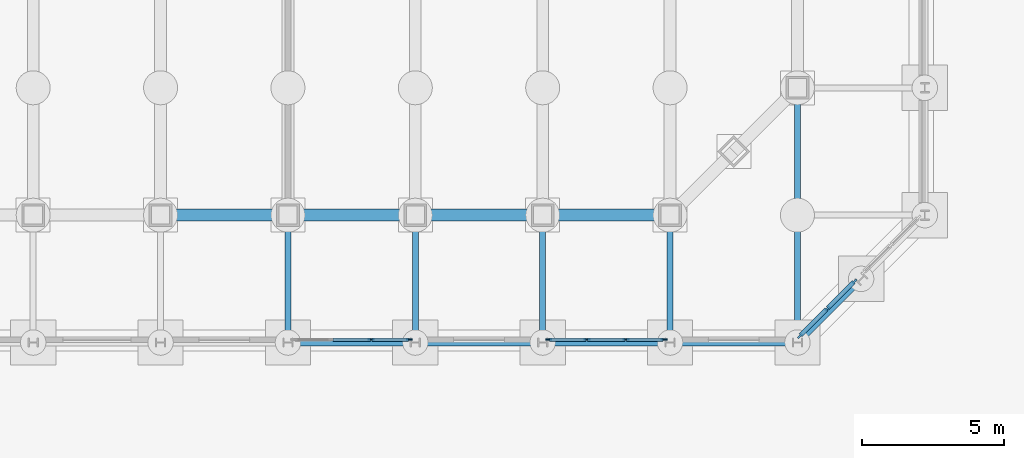
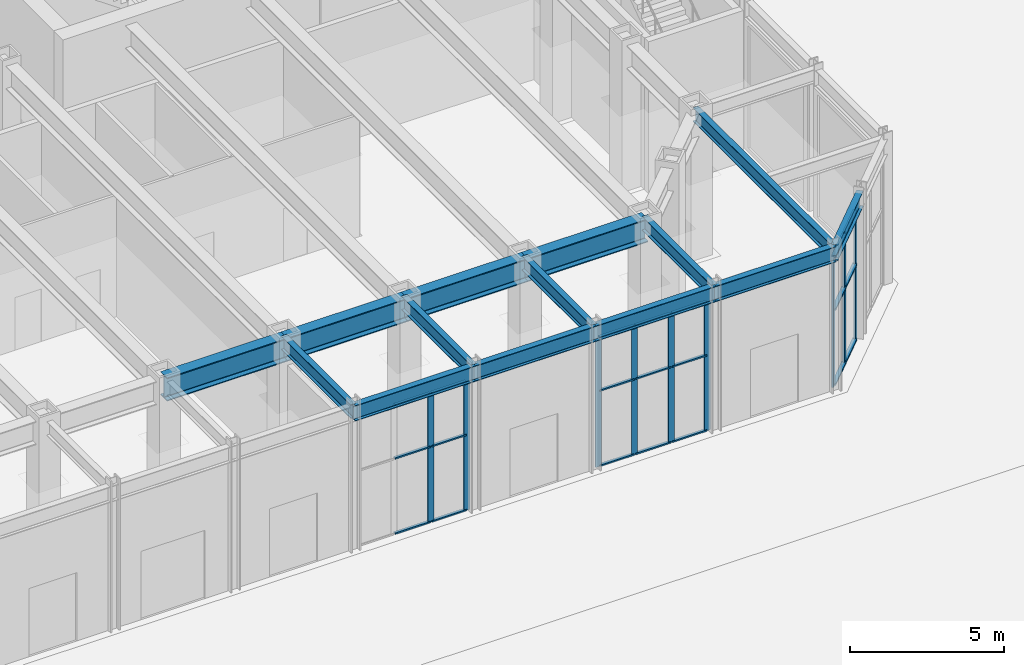
# One storey, part 6 of 39: 30 members, 14 beams, 3 elements without a shape of their own.
"""IFC4 building model written with IfcOpenShell, lengths in metres."""

from ifc_helpers import new_model, si_unit, direction, frame, origin, origin_2d, place, context, subcontext, project, spatial, rectangle, i_section, extrude, material, material_profile, profile_set, type_object, element, aggregate, save


model = new_model("IFC4")

# Units and contexts
model_context = context("Model", 3, precision=1e-05, world=origin(), true_north=direction((0.0, 1.0)))
body_context = subcontext(model_context, "Body", "Model", "MODEL_VIEW")
ifc_project = project(units=[si_unit("LENGTHUNIT", "METRE"), si_unit("AREAUNIT", "SQUARE_METRE"), si_unit("VOLUMEUNIT", "CUBIC_METRE"), si_unit("PLANEANGLEUNIT", "RADIAN"), si_unit("MASSUNIT", "GRAM", prefix="KILO")], contexts=[model_context])

# Site, building, storey
site_placement = place(None, origin())
site = spatial("IfcSite", under=ifc_project, at=site_placement, CompositionType="ELEMENT")
building_placement = place(site_placement, origin())
building = spatial("IfcBuilding", under=site, at=building_placement, Name="Msasa Ring Tower", CompositionType="ELEMENT")
storey_placement = place(building_placement, origin())
storey = spatial("IfcBuildingStorey", under=building, at=storey_placement, Name="L00", CompositionType="ELEMENT", Elevation=0.0)

# Curtain wall, members
ifc_material_1 = material(Name="Aluminium curtain wall with clear glass", Category="aluminium")
curtain_wall_type_1 = type_object("IfcCurtainWallType", Name="CW-F PLAZA SHOPFRONT CURTAIN WALL", PredefinedType="NOTDEFINED", material=ifc_material_1)
curtain_wall_1_placement = place(storey_placement, origin())
curtain_wall_1 = element("IfcCurtainWall", 1, at=curtain_wall_1_placement, inside=storey, type_object=curtain_wall_type_1, Name="Plaza shopfront curtain wall S L00 07", PredefinedType="NOTDEFINED")
ifc_material_2 = material(Name="Aluminium mullion", Category="aluminium")
ifc_material_profile_1 = material_profile(ifc_material_2, rectangle(XDim=0.054931640625, YDim=0.22509765625, at=origin_2d()), Name="AL 55x225")
ifc_profile_set_1 = profile_set([ifc_material_profile_1], Name="Aluminium mullion")
member_type_1 = type_object("IfcMemberType", Name="CW-F MULLION 55x225", PredefinedType="MULLION", material=ifc_profile_set_1)
member_1_placement = place(storey_placement, frame((9.6875, -29.14990234375, 0.0), z_axis=(0.0, 0.0, 1.0), x_axis=(0.0, 1.0, 0.0)))
member_1 = element("IfcMember", 2, at=member_1_placement, type_object=member_type_1, Name="CW-F mullion 3", PredefinedType="MULLION", context=body_context, shape_type="SweptSolid", body=[
    extrude(rectangle(XDim=0.054931640625, YDim=0.22509765625, at=origin_2d()), origin(), (0.0, 0.0, 1.0), 5.1328125),
])
member_2_placement = place(storey_placement, frame((11.034912109375, -29.14990234375, 0.0), z_axis=(0.0, 0.0, 1.0), x_axis=(0.0, 1.0, 0.0)))
member_2 = element("IfcMember", 3, at=member_2_placement, type_object=member_type_1, Name="CW-F mullion 4", PredefinedType="MULLION", context=body_context, shape_type="SweptSolid", body=[
    extrude(rectangle(XDim=0.054931640625, YDim=0.22509765625, at=origin_2d()), origin(), (0.0, 0.0, 1.0), 5.1328125),
])

curtain_wall_2_placement = place(storey_placement, origin())
curtain_wall_2 = element("IfcCurtainWall", 4, at=curtain_wall_2_placement, inside=storey, type_object=curtain_wall_type_1, Name="Plaza shopfront curtain wall S L00 09", PredefinedType="NOTDEFINED")
member_3_placement = place(storey_placement, frame((15.965087890625, -29.14990234375, 0.0), z_axis=(0.0, 0.0, 1.0), x_axis=(0.0, 1.0, 0.0)))
member_3 = element("IfcMember", 5, at=member_3_placement, type_object=member_type_1, Name="CW-F mullion 1", PredefinedType="MULLION", context=body_context, shape_type="SweptSolid", body=[
    extrude(rectangle(XDim=0.054931640625, YDim=0.22509765625, at=origin_2d()), origin(), (0.0, 0.0, 1.0), 5.1328125),
])
member_4_placement = place(storey_placement, frame((17.3125, -29.14990234375, 0.0), z_axis=(0.0, 0.0, 1.0), x_axis=(0.0, 1.0, 0.0)))
member_4 = element("IfcMember", 6, at=member_4_placement, type_object=member_type_1, Name="CW-F mullion 2", PredefinedType="MULLION", context=body_context, shape_type="SweptSolid", body=[
    extrude(rectangle(XDim=0.054931640625, YDim=0.22509765625, at=origin_2d()), origin(), (0.0, 0.0, 1.0), 5.1328125),
])
member_5_placement = place(storey_placement, frame((18.6875, -29.14990234375, 0.0), z_axis=(0.0, 0.0, 1.0), x_axis=(0.0, 1.0, 0.0)))
member_5 = element("IfcMember", 7, at=member_5_placement, type_object=member_type_1, Name="CW-F mullion 3", PredefinedType="MULLION", context=body_context, shape_type="SweptSolid", body=[
    extrude(rectangle(XDim=0.054931640625, YDim=0.22509765625, at=origin_2d()), origin(), (0.0, 0.0, 1.0), 5.1328125),
])
member_6_placement = place(storey_placement, frame((20.034912109375, -29.14990234375, 0.0), z_axis=(0.0, 0.0, 1.0), x_axis=(0.0, 1.0, 0.0)))
member_6 = element("IfcMember", 8, at=member_6_placement, type_object=member_type_1, Name="CW-F mullion 4", PredefinedType="MULLION", context=body_context, shape_type="SweptSolid", body=[
    extrude(rectangle(XDim=0.054931640625, YDim=0.22509765625, at=origin_2d()), origin(), (0.0, 0.0, 1.0), 5.1328125),
])

# Member
ifc_material_3 = material(Name="Aluminium transom", Category="aluminium")
ifc_material_profile_2 = material_profile(ifc_material_3, rectangle(XDim=0.110107421875, YDim=0.054931640625, at=origin_2d()), Name="AL 55x110")
ifc_profile_set_2 = profile_set([ifc_material_profile_2], Name="Aluminium transom")
member_type_2 = type_object("IfcMemberType", Name="CW-F TRANSOM 55x110", PredefinedType="USERDEFINED", material=ifc_profile_set_2)
member_7_placement = place(storey_placement, frame((8.340087890625, -29.14990234375, 0.027587890625), z_axis=(1.0, 0.0, 0.0), x_axis=(0.0, 1.0, 0.0)))
member_7 = element("IfcMember", 9, at=member_7_placement, type_object=member_type_2, Name="CW-F transom 2.1", ObjectType="TRANSOM", PredefinedType="USERDEFINED", context=body_context, shape_type="SweptSolid", body=[
    extrude(rectangle(XDim=0.110107421875, YDim=0.054931640625, at=origin_2d()), origin(), (0.0, 0.0, 1.0), 1.31982421875),
])

member_8_placement = place(storey_placement, frame((8.340087890625, -29.14990234375, 3.0), z_axis=(1.0, 0.0, 0.0), x_axis=(0.0, 1.0, 0.0)))
member_8 = element("IfcMember", 10, at=member_8_placement, type_object=member_type_2, Name="CW-F transom 2.2", ObjectType="TRANSOM", PredefinedType="USERDEFINED", context=body_context, shape_type="SweptSolid", body=[
    extrude(rectangle(XDim=0.110107421875, YDim=0.054931640625, at=origin_2d()), origin(), (0.0, 0.0, 1.0), 1.31982421875),
])

member_9_placement = place(storey_placement, frame((8.340087890625, -29.14990234375, 5.105224609375), z_axis=(1.0, 0.0, 0.0), x_axis=(0.0, 1.0, 0.0)))
member_9 = element("IfcMember", 11, at=member_9_placement, type_object=member_type_2, Name="CW-F transom 2.3", ObjectType="TRANSOM", PredefinedType="USERDEFINED", context=body_context, shape_type="SweptSolid", body=[
    extrude(rectangle(XDim=0.110107421875, YDim=0.054931640625, at=origin_2d()), origin(), (0.0, 0.0, 1.0), 1.31982421875),
])

member_10_placement = place(storey_placement, frame((9.715087890625, -29.14990234375, 0.027587890625), z_axis=(1.0, 0.0, 0.0), x_axis=(0.0, 1.0, 0.0)))
member_10 = element("IfcMember", 12, at=member_10_placement, type_object=member_type_2, Name="CW-F transom 3.1", ObjectType="TRANSOM", PredefinedType="USERDEFINED", context=body_context, shape_type="SweptSolid", body=[
    extrude(rectangle(XDim=0.110107421875, YDim=0.054931640625, at=origin_2d()), origin(), (0.0, 0.0, 1.0), 1.292236328125),
])

member_11_placement = place(storey_placement, frame((9.715087890625, -29.14990234375, 3.0), z_axis=(1.0, 0.0, 0.0), x_axis=(0.0, 1.0, 0.0)))
member_11 = element("IfcMember", 13, at=member_11_placement, type_object=member_type_2, Name="CW-F transom 3.2", ObjectType="TRANSOM", PredefinedType="USERDEFINED", context=body_context, shape_type="SweptSolid", body=[
    extrude(rectangle(XDim=0.110107421875, YDim=0.054931640625, at=origin_2d()), origin(), (0.0, 0.0, 1.0), 1.292236328125),
])

member_12_placement = place(storey_placement, frame((9.715087890625, -29.14990234375, 5.105224609375), z_axis=(1.0, 0.0, 0.0), x_axis=(0.0, 1.0, 0.0)))
member_12 = element("IfcMember", 14, at=member_12_placement, type_object=member_type_2, Name="CW-F transom 3.3", ObjectType="TRANSOM", PredefinedType="USERDEFINED", context=body_context, shape_type="SweptSolid", body=[
    extrude(rectangle(XDim=0.110107421875, YDim=0.054931640625, at=origin_2d()), origin(), (0.0, 0.0, 1.0), 1.292236328125),
])

aggregate(curtain_wall_1, [member_1, member_2, member_7, member_8, member_9, member_10, member_11, member_12])

member_13_placement = place(storey_placement, frame((15.99267578125, -29.14990234375, 0.027587890625), z_axis=(1.0, 0.0, 0.0), x_axis=(0.0, 1.0, 0.0)))
member_13 = element("IfcMember", 15, at=member_13_placement, type_object=member_type_2, Name="CW-F transom 1.1", ObjectType="TRANSOM", PredefinedType="USERDEFINED", context=body_context, shape_type="SweptSolid", body=[
    extrude(rectangle(XDim=0.110107421875, YDim=0.054931640625, at=origin_2d()), origin(), (0.0, 0.0, 1.0), 1.292236328125),
])

member_14_placement = place(storey_placement, frame((15.99267578125, -29.14990234375, 3.0), z_axis=(1.0, 0.0, 0.0), x_axis=(0.0, 1.0, 0.0)))
member_14 = element("IfcMember", 16, at=member_14_placement, type_object=member_type_2, Name="CW-F transom 1.2", ObjectType="TRANSOM", PredefinedType="USERDEFINED", context=body_context, shape_type="SweptSolid", body=[
    extrude(rectangle(XDim=0.110107421875, YDim=0.054931640625, at=origin_2d()), origin(), (0.0, 0.0, 1.0), 1.292236328125),
])

member_15_placement = place(storey_placement, frame((15.99267578125, -29.14990234375, 5.105224609375), z_axis=(1.0, 0.0, 0.0), x_axis=(0.0, 1.0, 0.0)))
member_15 = element("IfcMember", 17, at=member_15_placement, type_object=member_type_2, Name="CW-F transom 1.3", ObjectType="TRANSOM", PredefinedType="USERDEFINED", context=body_context, shape_type="SweptSolid", body=[
    extrude(rectangle(XDim=0.110107421875, YDim=0.054931640625, at=origin_2d()), origin(), (0.0, 0.0, 1.0), 1.292236328125),
])

member_16_placement = place(storey_placement, frame((17.340087890625, -29.14990234375, 0.027587890625), z_axis=(1.0, 0.0, 0.0), x_axis=(0.0, 1.0, 0.0)))
member_16 = element("IfcMember", 18, at=member_16_placement, type_object=member_type_2, Name="CW-F transom 2.1", ObjectType="TRANSOM", PredefinedType="USERDEFINED", context=body_context, shape_type="SweptSolid", body=[
    extrude(rectangle(XDim=0.110107421875, YDim=0.054931640625, at=origin_2d()), origin(), (0.0, 0.0, 1.0), 1.31982421875),
])

member_17_placement = place(storey_placement, frame((17.340087890625, -29.14990234375, 3.0), z_axis=(1.0, 0.0, 0.0), x_axis=(0.0, 1.0, 0.0)))
member_17 = element("IfcMember", 19, at=member_17_placement, type_object=member_type_2, Name="CW-F transom 2.2", ObjectType="TRANSOM", PredefinedType="USERDEFINED", context=body_context, shape_type="SweptSolid", body=[
    extrude(rectangle(XDim=0.110107421875, YDim=0.054931640625, at=origin_2d()), origin(), (0.0, 0.0, 1.0), 1.31982421875),
])

member_18_placement = place(storey_placement, frame((17.340087890625, -29.14990234375, 5.105224609375), z_axis=(1.0, 0.0, 0.0), x_axis=(0.0, 1.0, 0.0)))
member_18 = element("IfcMember", 20, at=member_18_placement, type_object=member_type_2, Name="CW-F transom 2.3", ObjectType="TRANSOM", PredefinedType="USERDEFINED", context=body_context, shape_type="SweptSolid", body=[
    extrude(rectangle(XDim=0.110107421875, YDim=0.054931640625, at=origin_2d()), origin(), (0.0, 0.0, 1.0), 1.31982421875),
])

member_19_placement = place(storey_placement, frame((18.71484375, -29.14990234375, 0.027587890625), z_axis=(1.0, 0.0, 0.0), x_axis=(0.0, 1.0, 0.0)))
member_19 = element("IfcMember", 21, at=member_19_placement, type_object=member_type_2, Name="CW-F transom 3.1", ObjectType="TRANSOM", PredefinedType="USERDEFINED", context=body_context, shape_type="SweptSolid", body=[
    extrude(rectangle(XDim=0.110107421875, YDim=0.054931640625, at=origin_2d()), origin(), (0.0, 0.0, 1.0), 1.29248046875),
])

member_20_placement = place(storey_placement, frame((18.71484375, -29.14990234375, 3.0), z_axis=(1.0, 0.0, 0.0), x_axis=(0.0, 1.0, 0.0)))
member_20 = element("IfcMember", 22, at=member_20_placement, type_object=member_type_2, Name="CW-F transom 3.2", ObjectType="TRANSOM", PredefinedType="USERDEFINED", context=body_context, shape_type="SweptSolid", body=[
    extrude(rectangle(XDim=0.110107421875, YDim=0.054931640625, at=origin_2d()), origin(), (0.0, 0.0, 1.0), 1.29248046875),
])

member_21_placement = place(storey_placement, frame((18.71484375, -29.14990234375, 5.105224609375), z_axis=(1.0, 0.0, 0.0), x_axis=(0.0, 1.0, 0.0)))
member_21 = element("IfcMember", 23, at=member_21_placement, type_object=member_type_2, Name="CW-F transom 3.3", ObjectType="TRANSOM", PredefinedType="USERDEFINED", context=body_context, shape_type="SweptSolid", body=[
    extrude(rectangle(XDim=0.110107421875, YDim=0.054931640625, at=origin_2d()), origin(), (0.0, 0.0, 1.0), 1.29248046875),
])

aggregate(curtain_wall_2, [member_3, member_4, member_5, member_6, member_13, member_14, member_15, member_16, member_17, member_18, member_19, member_20, member_21])

# Curtain wall, members
ifc_material_4 = material(Name="Aluminium curtain wall with clear glass", Category="aluminium")
curtain_wall_type_2 = type_object("IfcCurtainWallType", Name="CW-K PODIUM CORNER CURTAIN WALL", PredefinedType="NOTDEFINED", material=ifc_material_4)
curtain_wall_3_placement = place(storey_placement, origin())
curtain_wall_3 = element("IfcCurtainWall", 24, at=curtain_wall_3_placement, inside=storey, type_object=curtain_wall_type_2, Name="Podium corner curtain wall SE L00", PredefinedType="NOTDEFINED")
ifc_material_5 = material(Name="Aluminium mullion", Category="aluminium")
ifc_material_profile_3 = material_profile(ifc_material_5, rectangle(XDim=0.070068359375, YDim=0.199951171875, at=origin_2d()), Name="AL 70x200")
ifc_profile_set_3 = profile_set([ifc_material_profile_3], Name="Aluminium mullion")
member_type_3 = type_object("IfcMemberType", Name="CW-K MULLION 70x200", PredefinedType="MULLION", material=ifc_profile_set_3)
member_22_placement = place(storey_placement, frame((24.836669921875, -29.02197265625, 0.0), z_axis=(0.0, 0.0, 1.0), x_axis=(-0.707106781187, 0.707106781187, 0.0)))
member_22 = element("IfcMember", 25, at=member_22_placement, type_object=member_type_3, Name="CW-K mullion 1", PredefinedType="MULLION", context=body_context, shape_type="SweptSolid", body=[
    extrude(rectangle(XDim=0.070068359375, YDim=0.199951171875, at=origin_2d()), origin(), (0.0, 0.0, 1.0), 5.1328125),
])
member_23_placement = place(storey_placement, frame((25.80419921875, -28.05419921875, 0.0), z_axis=(0.0, 0.0, 1.0), x_axis=(-0.707106781187, 0.707106781187, 0.0)))
member_23 = element("IfcMember", 26, at=member_23_placement, type_object=member_type_3, Name="CW-K mullion 2", PredefinedType="MULLION", context=body_context, shape_type="SweptSolid", body=[
    extrude(rectangle(XDim=0.070068359375, YDim=0.199951171875, at=origin_2d()), origin(), (0.0, 0.0, 1.0), 5.1328125),
])
member_24_placement = place(storey_placement, frame((26.77197265625, -27.086669921875, 0.0), z_axis=(0.0, 0.0, 1.0), x_axis=(-0.707106781187, 0.707106781187, 0.0)))
member_24 = element("IfcMember", 27, at=member_24_placement, type_object=member_type_3, Name="CW-K mullion 3", PredefinedType="MULLION", context=body_context, shape_type="SweptSolid", body=[
    extrude(rectangle(XDim=0.070068359375, YDim=0.199951171875, at=origin_2d()), origin(), (0.0, 0.0, 1.0), 5.1328125),
])
ifc_material_6 = material(Name="Aluminium transom", Category="aluminium")
ifc_material_profile_4 = material_profile(ifc_material_6, rectangle(XDim=0.14990234375, YDim=0.070068359375, at=origin_2d()), Name="AL 70x150")
ifc_profile_set_4 = profile_set([ifc_material_profile_4], Name="Aluminium transom")
member_type_4 = type_object("IfcMemberType", Name="CW-K TRANSOM 70x150", PredefinedType="USERDEFINED", material=ifc_profile_set_4)
member_25_placement = place(storey_placement, frame((24.861572265625, -28.9970703125, 0.034912109375), z_axis=(0.707106781187, 0.707106781187, 0.0), x_axis=(-0.707106781187, 0.707106781187, 0.0)))
member_25 = element("IfcMember", 28, at=member_25_placement, type_object=member_type_4, Name="CW-K transom 1.1", ObjectType="TRANSOM", PredefinedType="USERDEFINED", context=body_context, shape_type="SweptSolid", body=[
    extrude(rectangle(XDim=0.14990234375, YDim=0.070068359375, at=origin_2d()), origin(), (0.0, 0.0, 1.0), 1.298095703125),
])
member_26_placement = place(storey_placement, frame((24.861572265625, -28.9970703125, 3.0), z_axis=(0.707106781187, 0.707106781187, 0.0), x_axis=(-0.707106781187, 0.707106781187, 0.0)))
member_26 = element("IfcMember", 29, at=member_26_placement, type_object=member_type_4, Name="CW-K transom 1.2", ObjectType="TRANSOM", PredefinedType="USERDEFINED", context=body_context, shape_type="SweptSolid", body=[
    extrude(rectangle(XDim=0.14990234375, YDim=0.070068359375, at=origin_2d()), origin(), (0.0, 0.0, 1.0), 1.298095703125),
])
member_27_placement = place(storey_placement, frame((24.861572265625, -28.9970703125, 5.097900390625), z_axis=(0.707106781187, 0.707106781187, 0.0), x_axis=(-0.707106781187, 0.707106781187, 0.0)))
member_27 = element("IfcMember", 30, at=member_27_placement, type_object=member_type_4, Name="CW-K transom 1.3", ObjectType="TRANSOM", PredefinedType="USERDEFINED", context=body_context, shape_type="SweptSolid", body=[
    extrude(rectangle(XDim=0.14990234375, YDim=0.070068359375, at=origin_2d()), origin(), (0.0, 0.0, 1.0), 1.298095703125),
])
member_28_placement = place(storey_placement, frame((25.8291015625, -28.029541015625, 0.034912109375), z_axis=(0.707106781187, 0.707106781187, 0.0), x_axis=(-0.707106781187, 0.707106781187, 0.0)))
member_28 = element("IfcMember", 31, at=member_28_placement, type_object=member_type_4, Name="CW-K transom 2.1", ObjectType="TRANSOM", PredefinedType="USERDEFINED", context=body_context, shape_type="SweptSolid", body=[
    extrude(rectangle(XDim=0.14990234375, YDim=0.070068359375, at=origin_2d()), origin(), (0.0, 0.0, 1.0), 1.298095703125),
])
member_29_placement = place(storey_placement, frame((25.8291015625, -28.029541015625, 3.0), z_axis=(0.707106781187, 0.707106781187, 0.0), x_axis=(-0.707106781187, 0.707106781187, 0.0)))
member_29 = element("IfcMember", 32, at=member_29_placement, type_object=member_type_4, Name="CW-K transom 2.2", ObjectType="TRANSOM", PredefinedType="USERDEFINED", context=body_context, shape_type="SweptSolid", body=[
    extrude(rectangle(XDim=0.14990234375, YDim=0.070068359375, at=origin_2d()), origin(), (0.0, 0.0, 1.0), 1.298095703125),
])
member_30_placement = place(storey_placement, frame((25.8291015625, -28.029541015625, 5.097900390625), z_axis=(0.707106781187, 0.707106781187, 0.0), x_axis=(-0.707106781187, 0.707106781187, 0.0)))
member_30 = element("IfcMember", 33, at=member_30_placement, type_object=member_type_4, Name="CW-K transom 2.3", ObjectType="TRANSOM", PredefinedType="USERDEFINED", context=body_context, shape_type="SweptSolid", body=[
    extrude(rectangle(XDim=0.14990234375, YDim=0.070068359375, at=origin_2d()), origin(), (0.0, 0.0, 1.0), 1.298095703125),
])
aggregate(curtain_wall_3, [member_22, member_23, member_24, member_25, member_26, member_27, member_28, member_29, member_30])

# Beams
ifc_material_7 = material(Name="Steel S355", Category="steel")
ifc_material_profile_5 = material_profile(ifc_material_7, i_section(OverallWidth=0.2119140625, OverallDepth=0.54443359375, WebThickness=0.0126953125, FlangeThickness=0.021240234375, FilletRadius=0.0126953125, at=origin_2d()), Name="UB 533x210x122")
ifc_profile_set_5 = profile_set([ifc_material_profile_5], Name="Steel S355")
beam_type_1 = type_object("IfcBeamType", Name="PB1 UB 533x210x122", PredefinedType="BEAM", material=ifc_profile_set_5)
for number, where, z_axis, x_axis, name in (
    (34, (6.75, -29.25, 5.477783203125), (0.0, 1.0, 0.0), (-1.0, 0.0, 0.0), "Podium beam S+6.75 under L01"),
    (35, (11.25, -29.25, 5.477783203125), (0.0, 1.0, 0.0), (-1.0, 0.0, 0.0), "Podium beam S+11.25 under L01"),
    (36, (15.75, -29.25, 5.477783203125), (0.0, 1.0, 0.0), (-1.0, 0.0, 0.0), "Podium beam S+15.75 under L01"),
    (37, (20.25, -29.25, 5.477783203125), (0.0, 1.0, 0.0), (-1.0, 0.0, 0.0), "Podium beam S+20.25 under L01"),
):
    element("IfcBeam", number, at=place(storey_placement, frame(where, z_axis=z_axis, x_axis=x_axis)), inside=storey, type_object=beam_type_1, Name=name, PredefinedType="BEAM", context=body_context, shape_type="SweptSolid", body=[
        extrude(i_section(OverallWidth=0.2119140625, OverallDepth=0.54443359375, WebThickness=0.0126953125, FlangeThickness=0.021240234375, FilletRadius=0.0126953125, at=origin_2d()), origin(), (0.0, 0.0, 1.0), 4.5),
    ])
beam_1_placement = place(storey_placement, frame((24.75, -29.25, 5.477783203125), z_axis=(0.0, 1.0, 0.0), x_axis=(-1.0, 0.0, 0.0)))
element("IfcBeam", 38, at=beam_1_placement, inside=storey, type_object=beam_type_1, Name="Podium beam S+24.75 under L01", PredefinedType="BEAM", context=body_context, shape_type="SweptSolid", body=[
    extrude(i_section(OverallWidth=0.2119140625, OverallDepth=0.54443359375, WebThickness=0.0126953125, FlangeThickness=0.021240234375, FilletRadius=0.0126953125, at=origin_2d()), origin(), (0.0, 0.0, 1.0), 9.0),
])
ifc_material_8 = material(Name="Steel S355", Category="steel")
ifc_material_profile_6 = material_profile(ifc_material_8, i_section(OverallWidth=0.42041015625, OverallDepth=0.9208984375, WebThickness=0.021484375, FlangeThickness=0.03662109375, FilletRadius=0.024169921875, at=origin_2d()), Name="UB 914x419x388")
ifc_profile_set_6 = profile_set([ifc_material_profile_6], Name="Steel S355")
beam_type_2 = type_object("IfcBeamType", Name="SB1 UB 914x419x388", PredefinedType="SPANDREL", material=ifc_profile_set_6)
for number, where, z_axis, x_axis, name in (
    (39, (2.25, -24.75, 5.28955078125), (1.0, 0.0, 0.0), (0.0, 1.0, 0.0), "Spandrel S+2.25 to S+6.75 under L01"),
    (40, (6.75, -24.75, 5.28955078125), (1.0, 0.0, 0.0), (0.0, 1.0, 0.0), "Spandrel S+6.75 to S+11.25 under L01"),
    (41, (11.25, -24.75, 5.28955078125), (1.0, 0.0, 0.0), (0.0, 1.0, 0.0), "Spandrel S+11.25 to S+15.75 under L01"),
    (42, (15.75, -24.75, 5.28955078125), (1.0, 0.0, 0.0), (0.0, 1.0, 0.0), "Spandrel S+15.75 to S+20.25 under L01"),
):
    element("IfcBeam", number, at=place(storey_placement, frame(where, z_axis=z_axis, x_axis=x_axis)), inside=storey, type_object=beam_type_2, Name=name, PredefinedType="SPANDREL", context=body_context, shape_type="SweptSolid", body=[
        extrude(i_section(OverallWidth=0.42041015625, OverallDepth=0.9208984375, WebThickness=0.021484375, FlangeThickness=0.03662109375, FilletRadius=0.024169921875, at=origin_2d()), origin(), (0.0, 0.0, 1.0), 4.5),
    ])
ifc_material_9 = material(Name="Steel S355", Category="steel")
ifc_material_profile_7 = material_profile(ifc_material_9, i_section(OverallWidth=0.230224609375, OverallDepth=0.6171875, WebThickness=0.01318359375, FlangeThickness=0.022216796875, FilletRadius=0.0126953125, at=origin_2d()), Name="UB 610x229x140")
ifc_profile_set_7 = profile_set([ifc_material_profile_7], Name="Steel S355")
beam_type_3 = type_object("IfcBeamType", Name="SB2 UB 610x229x140", PredefinedType="SPANDREL", material=ifc_profile_set_7)
for number, where, z_axis, x_axis, name in (
    (43, (6.75, -29.25, 5.44140625), (1.0, 0.0, 0.0), (0.0, 1.0, 0.0), "Podium spandrel S+6.75 under L01"),
    (44, (11.25, -29.25, 5.44140625), (1.0, 0.0, 0.0), (0.0, 1.0, 0.0), "Podium spandrel S+11.25 under L01"),
    (45, (15.75, -29.25, 5.44140625), (1.0, 0.0, 0.0), (0.0, 1.0, 0.0), "Podium spandrel S+15.75 under L01"),
    (46, (20.25, -29.25, 5.44140625), (1.0, 0.0, 0.0), (0.0, 1.0, 0.0), "Podium spandrel S+20.25 under L01"),
):
    element("IfcBeam", number, at=place(storey_placement, frame(where, z_axis=z_axis, x_axis=x_axis)), inside=storey, type_object=beam_type_3, Name=name, PredefinedType="SPANDREL", context=body_context, shape_type="SweptSolid", body=[
        extrude(i_section(OverallWidth=0.230224609375, OverallDepth=0.6171875, WebThickness=0.01318359375, FlangeThickness=0.022216796875, FilletRadius=0.0126953125, at=origin_2d()), origin(), (0.0, 0.0, 1.0), 4.5),
    ])
beam_2_placement = place(storey_placement, frame((24.75, -29.25, 5.44140625), z_axis=(0.707106781187, 0.707106781187, 0.0), x_axis=(-0.707106781187, 0.707106781187, 0.0)))
element("IfcBeam", 47, at=beam_2_placement, inside=storey, type_object=beam_type_3, Name="Podium spandrel S+24.75 under L01", PredefinedType="SPANDREL", context=body_context, shape_type="SweptSolid", body=[
    extrude(i_section(OverallWidth=0.230224609375, OverallDepth=0.6171875, WebThickness=0.01318359375, FlangeThickness=0.022216796875, FilletRadius=0.0126953125, at=origin_2d()), origin(), (0.0, 0.0, 1.0), 3.181884765625),
])

save(model, "model.ifc")
